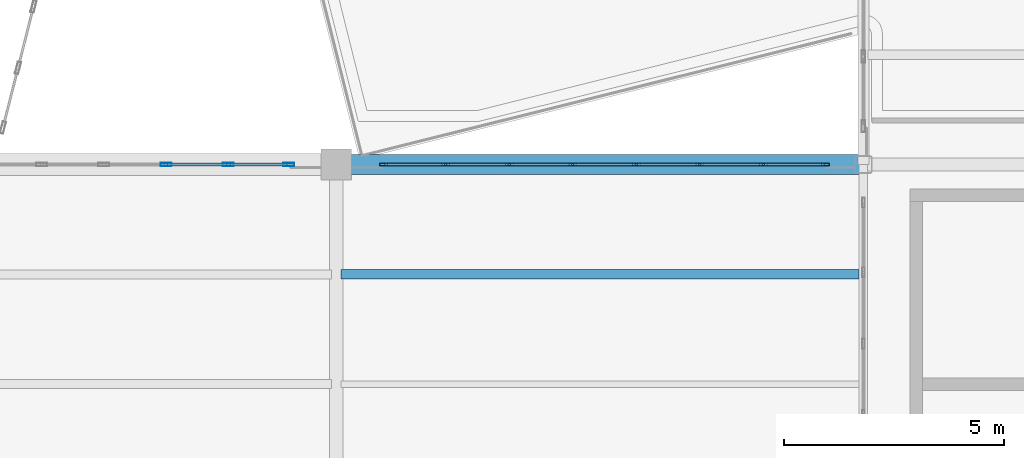
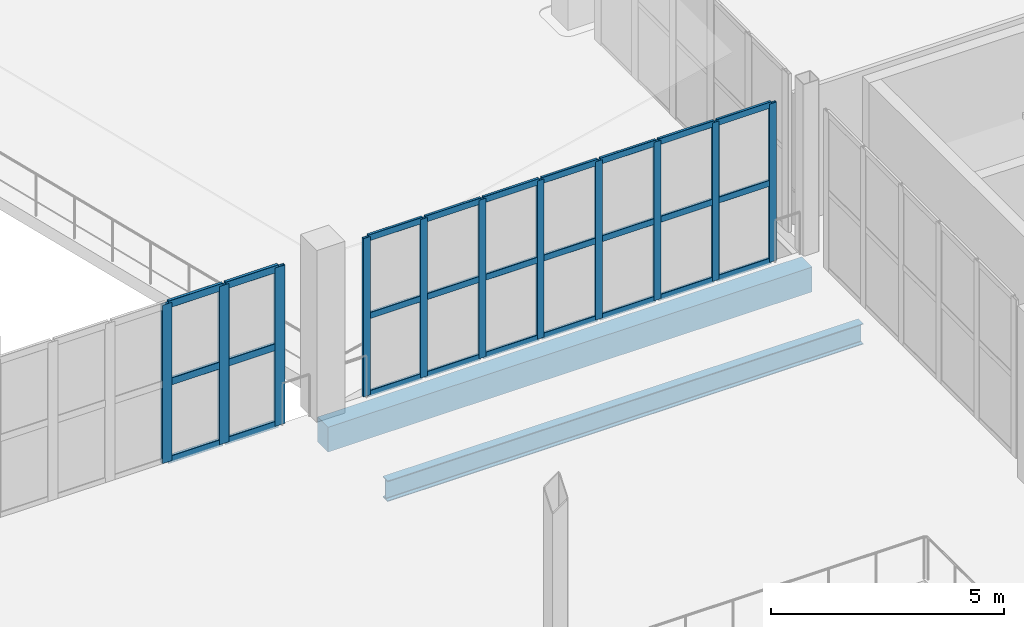
# One storey, part 26 of 108: 38 members, 2 beams, 2 elements without a shape of their own.
"""IFC4 building model written with IfcOpenShell, lengths in metres."""

from ifc_helpers import new_model, si_unit, direction, frame, origin, origin_2d, place, context, subcontext, project, spatial, rectangle, hollow_rectangle, i_section, extrude, material, layer, layer_set, material_profile, profile_set, type_object, element, aggregate, save


model = new_model("IFC4")

# Units and contexts
model_context = context("Model", 3, precision=1e-05, world=origin(), true_north=direction((0.0, 1.0)))
body_context = subcontext(model_context, "Body", "Model", "MODEL_VIEW")
ifc_project = project(units=[si_unit("LENGTHUNIT", "METRE"), si_unit("AREAUNIT", "SQUARE_METRE"), si_unit("VOLUMEUNIT", "CUBIC_METRE"), si_unit("PLANEANGLEUNIT", "RADIAN"), si_unit("MASSUNIT", "GRAM", prefix="KILO")], contexts=[model_context])

# Site, building, storey
site_placement = place(None, origin())
site = spatial("IfcSite", under=ifc_project, at=site_placement, CompositionType="ELEMENT")
building_placement = place(site_placement, origin())
building = spatial("IfcBuilding", under=site, at=building_placement, Name="Brinegate Civic Arena", CompositionType="ELEMENT")
storey_placement = place(building_placement, frame((0.0, 0.0, 10.199951171875)))
storey = spatial("IfcBuildingStorey", under=building, at=storey_placement, Name="L02", CompositionType="ELEMENT", Elevation=10.199951171875)

# Curtain wall, members
ifc_material_1 = material(Name="Marine grade aluminium", Category="aluminium")
ifc_layer = layer(ifc_material_1, 0.18505859375, Name="Marine grade aluminium")
ifc_layer_set = layer_set([ifc_layer], Name="Marine grade aluminium")
curtain_wall_type = type_object("IfcCurtainWallType", Name="CW-WING-GLAZED-03", PredefinedType="USERDEFINED", material=ifc_layer_set)
curtain_wall_1_placement = place(storey_placement, origin())
curtain_wall_1 = element("IfcCurtainWall", 1, at=curtain_wall_1_placement, inside=storey, type_object=curtain_wall_type, Name="Curtain Wall CWA-026", ObjectType="GLAZED CURTAIN WALL", PredefinedType="USERDEFINED")
ifc_material_profile_1 = material_profile(ifc_material_1, hollow_rectangle(XDim=0.06494140625, YDim=0.179931640625, WallThickness=0.0048828125, InnerFilletRadius=0.00390625, OuterFilletRadius=0.008056640625, at=origin_2d()), Name="MUL65X180")
ifc_profile_set_1 = profile_set([ifc_material_profile_1], Name="Marine grade aluminium")
member_type_1 = type_object("IfcMemberType", Name="CW-MULLION-65X180", PredefinedType="MULLION", material=ifc_profile_set_1)
member_1_placement = place(storey_placement, frame((37.077392578125, 52.0, 0.0), z_axis=(0.0, 0.0, 1.0), x_axis=(0.0, 1.0, 0.0)))
member_1 = element("IfcMember", 2, at=member_1_placement, type_object=member_type_1, Name="CWA-026 mullion 1", PredefinedType="MULLION", context=body_context, shape_type="SweptSolid", body=[
    extrude(hollow_rectangle(XDim=0.06494140625, YDim=0.179931640625, WallThickness=0.0048828125, InnerFilletRadius=0.00390625, OuterFilletRadius=0.008056640625, at=origin_2d()), origin(), (0.0, 0.0, 1.0), 4.150146484375),
])
member_2_placement = place(storey_placement, frame((38.490966796875, 52.0, 0.0), z_axis=(0.0, 0.0, 1.0), x_axis=(0.0, 1.0, 0.0)))
member_2 = element("IfcMember", 3, at=member_2_placement, type_object=member_type_1, Name="CWA-026 mullion 2", PredefinedType="MULLION", context=body_context, shape_type="SweptSolid", body=[
    extrude(hollow_rectangle(XDim=0.06494140625, YDim=0.179931640625, WallThickness=0.0048828125, InnerFilletRadius=0.00390625, OuterFilletRadius=0.008056640625, at=origin_2d()), origin(), (0.0, 0.0, 1.0), 4.150146484375),
])
member_3_placement = place(storey_placement, frame((39.93701171875, 52.0, 0.0), z_axis=(0.0, 0.0, 1.0), x_axis=(0.0, 1.0, 0.0)))
member_3 = element("IfcMember", 4, at=member_3_placement, type_object=member_type_1, Name="CWA-026 mullion 3", PredefinedType="MULLION", context=body_context, shape_type="SweptSolid", body=[
    extrude(hollow_rectangle(XDim=0.06494140625, YDim=0.179931640625, WallThickness=0.0048828125, InnerFilletRadius=0.00390625, OuterFilletRadius=0.008056640625, at=origin_2d()), origin(), (0.0, 0.0, 1.0), 4.150146484375),
])
member_4_placement = place(storey_placement, frame((41.383056640625, 52.0, 0.0), z_axis=(0.0, 0.0, 1.0), x_axis=(0.0, 1.0, 0.0)))
member_4 = element("IfcMember", 5, at=member_4_placement, type_object=member_type_1, Name="CWA-026 mullion 4", PredefinedType="MULLION", context=body_context, shape_type="SweptSolid", body=[
    extrude(hollow_rectangle(XDim=0.06494140625, YDim=0.179931640625, WallThickness=0.0048828125, InnerFilletRadius=0.00390625, OuterFilletRadius=0.008056640625, at=origin_2d()), origin(), (0.0, 0.0, 1.0), 4.150146484375),
])
member_5_placement = place(storey_placement, frame((42.8291015625, 52.0, 0.0), z_axis=(0.0, 0.0, 1.0), x_axis=(0.0, 1.0, 0.0)))
member_5 = element("IfcMember", 6, at=member_5_placement, type_object=member_type_1, Name="CWA-026 mullion 5", PredefinedType="MULLION", context=body_context, shape_type="SweptSolid", body=[
    extrude(hollow_rectangle(XDim=0.06494140625, YDim=0.179931640625, WallThickness=0.0048828125, InnerFilletRadius=0.00390625, OuterFilletRadius=0.008056640625, at=origin_2d()), origin(), (0.0, 0.0, 1.0), 4.150146484375),
])
member_6_placement = place(storey_placement, frame((44.27490234375, 52.0, 0.0), z_axis=(0.0, 0.0, 1.0), x_axis=(0.0, 1.0, 0.0)))
member_6 = element("IfcMember", 7, at=member_6_placement, type_object=member_type_1, Name="CWA-026 mullion 6", PredefinedType="MULLION", context=body_context, shape_type="SweptSolid", body=[
    extrude(hollow_rectangle(XDim=0.06494140625, YDim=0.179931640625, WallThickness=0.0048828125, InnerFilletRadius=0.00390625, OuterFilletRadius=0.008056640625, at=origin_2d()), origin(), (0.0, 0.0, 1.0), 4.150146484375),
])
member_7_placement = place(storey_placement, frame((45.720947265625, 52.0, 0.0), z_axis=(0.0, 0.0, 1.0), x_axis=(0.0, 1.0, 0.0)))
member_7 = element("IfcMember", 8, at=member_7_placement, type_object=member_type_1, Name="CWA-026 mullion 7", PredefinedType="MULLION", context=body_context, shape_type="SweptSolid", body=[
    extrude(hollow_rectangle(XDim=0.06494140625, YDim=0.179931640625, WallThickness=0.0048828125, InnerFilletRadius=0.00390625, OuterFilletRadius=0.008056640625, at=origin_2d()), origin(), (0.0, 0.0, 1.0), 4.150146484375),
])
member_8_placement = place(storey_placement, frame((47.134521484375, 52.0, 0.0), z_axis=(0.0, 0.0, 1.0), x_axis=(0.0, 1.0, 0.0)))
member_8 = element("IfcMember", 9, at=member_8_placement, type_object=member_type_1, Name="CWA-026 mullion 8", PredefinedType="MULLION", context=body_context, shape_type="SweptSolid", body=[
    extrude(hollow_rectangle(XDim=0.06494140625, YDim=0.179931640625, WallThickness=0.0048828125, InnerFilletRadius=0.00390625, OuterFilletRadius=0.008056640625, at=origin_2d()), origin(), (0.0, 0.0, 1.0), 4.150146484375),
])

curtain_wall_2_placement = place(storey_placement, origin())
curtain_wall_2 = element("IfcCurtainWall", 10, at=curtain_wall_2_placement, inside=storey, type_object=curtain_wall_type, Name="Curtain Wall CWA-024", ObjectType="GLAZED CURTAIN WALL", PredefinedType="USERDEFINED")
ifc_material_profile_2 = material_profile(ifc_material_1, hollow_rectangle(XDim=0.074951171875, YDim=0.25, WallThickness=0.006103515625, InnerFilletRadius=0.00390625, OuterFilletRadius=0.008056640625, at=origin_2d()), Name="MUL75X250")
ifc_profile_set_2 = profile_set([ifc_material_profile_2], Name="Marine grade aluminium")
member_type_2 = type_object("IfcMemberType", Name="CW-MULLION-75X250", PredefinedType="MULLION", material=ifc_profile_set_2)
member_9_placement = place(storey_placement, frame((32.12353515625, 52.0, 0.0), z_axis=(0.0, 0.0, 1.0), x_axis=(0.0, 1.0, 0.0)))
member_9 = element("IfcMember", 11, at=member_9_placement, type_object=member_type_2, Name="CWA-024 mullion 6", PredefinedType="MULLION", context=body_context, shape_type="SweptSolid", body=[
    extrude(hollow_rectangle(XDim=0.074951171875, YDim=0.25, WallThickness=0.006103515625, InnerFilletRadius=0.00390625, OuterFilletRadius=0.008056640625, at=origin_2d()), origin(), (0.0, 0.0, 1.0), 4.150146484375),
])
member_10_placement = place(storey_placement, frame((33.539306640625, 52.0, 0.0), z_axis=(0.0, 0.0, 1.0), x_axis=(0.0, 1.0, 0.0)))
member_10 = element("IfcMember", 12, at=member_10_placement, type_object=member_type_2, Name="CWA-024 mullion 7", PredefinedType="MULLION", context=body_context, shape_type="SweptSolid", body=[
    extrude(hollow_rectangle(XDim=0.074951171875, YDim=0.25, WallThickness=0.006103515625, InnerFilletRadius=0.00390625, OuterFilletRadius=0.008056640625, at=origin_2d()), origin(), (0.0, 0.0, 1.0), 4.150146484375),
])
member_11_placement = place(storey_placement, frame((34.91748046875, 52.0, 0.0), z_axis=(0.0, 0.0, 1.0), x_axis=(0.0, 1.0, 0.0)))
member_11 = element("IfcMember", 13, at=member_11_placement, type_object=member_type_2, Name="CWA-024 mullion 8", PredefinedType="MULLION", context=body_context, shape_type="SweptSolid", body=[
    extrude(hollow_rectangle(XDim=0.074951171875, YDim=0.25, WallThickness=0.006103515625, InnerFilletRadius=0.00390625, OuterFilletRadius=0.008056640625, at=origin_2d()), origin(), (0.0, 0.0, 1.0), 4.150146484375),
])

# Member
ifc_material_profile_3 = material_profile(ifc_material_1, hollow_rectangle(XDim=0.06494140625, YDim=0.1650390625, WallThickness=0.0048828125, InnerFilletRadius=0.00390625, OuterFilletRadius=0.008056640625, at=origin_2d()), Name="TRN65X165")
ifc_profile_set_3 = profile_set([ifc_material_profile_3], Name="Marine grade aluminium")
member_type_3 = type_object("IfcMemberType", Name="CW-TRANSOM-65X165", PredefinedType="USERDEFINED", material=ifc_profile_set_3)
member_12_placement = place(storey_placement, frame((37.110107421875, 52.0, 0.032470703125), z_axis=(1.0, 0.0, 0.0), x_axis=(0.0, 1.0, 0.0)))
member_12 = element("IfcMember", 14, at=member_12_placement, type_object=member_type_3, Name="CWA-026 transom 1.1", ObjectType="TRANSOM", PredefinedType="USERDEFINED", context=body_context, shape_type="SweptSolid", body=[
    extrude(hollow_rectangle(XDim=0.06494140625, YDim=0.1650390625, WallThickness=0.0048828125, InnerFilletRadius=0.00390625, OuterFilletRadius=0.008056640625, at=origin_2d()), origin(), (0.0, 0.0, 1.0), 1.348388671875),
])

member_13_placement = place(storey_placement, frame((37.110107421875, 52.0, 2.074951171875), z_axis=(1.0, 0.0, 0.0), x_axis=(0.0, 1.0, 0.0)))
member_13 = element("IfcMember", 15, at=member_13_placement, type_object=member_type_3, Name="CWA-026 transom 1.2", ObjectType="TRANSOM", PredefinedType="USERDEFINED", context=body_context, shape_type="SweptSolid", body=[
    extrude(hollow_rectangle(XDim=0.06494140625, YDim=0.1650390625, WallThickness=0.0048828125, InnerFilletRadius=0.00390625, OuterFilletRadius=0.008056640625, at=origin_2d()), origin(), (0.0, 0.0, 1.0), 1.348388671875),
])

member_14_placement = place(storey_placement, frame((37.110107421875, 52.0, 4.117431640625), z_axis=(1.0, 0.0, 0.0), x_axis=(0.0, 1.0, 0.0)))
member_14 = element("IfcMember", 16, at=member_14_placement, type_object=member_type_3, Name="CWA-026 transom 1.3", ObjectType="TRANSOM", PredefinedType="USERDEFINED", context=body_context, shape_type="SweptSolid", body=[
    extrude(hollow_rectangle(XDim=0.06494140625, YDim=0.1650390625, WallThickness=0.0048828125, InnerFilletRadius=0.00390625, OuterFilletRadius=0.008056640625, at=origin_2d()), origin(), (0.0, 0.0, 1.0), 1.348388671875),
])

member_15_placement = place(storey_placement, frame((38.5234375, 52.0, 0.032470703125), z_axis=(1.0, 0.0, 0.0), x_axis=(0.0, 1.0, 0.0)))
member_15 = element("IfcMember", 17, at=member_15_placement, type_object=member_type_3, Name="CWA-026 transom 2.1", ObjectType="TRANSOM", PredefinedType="USERDEFINED", context=body_context, shape_type="SweptSolid", body=[
    extrude(hollow_rectangle(XDim=0.06494140625, YDim=0.1650390625, WallThickness=0.0048828125, InnerFilletRadius=0.00390625, OuterFilletRadius=0.008056640625, at=origin_2d()), origin(), (0.0, 0.0, 1.0), 1.381103515625),
])

member_16_placement = place(storey_placement, frame((38.5234375, 52.0, 2.074951171875), z_axis=(1.0, 0.0, 0.0), x_axis=(0.0, 1.0, 0.0)))
member_16 = element("IfcMember", 18, at=member_16_placement, type_object=member_type_3, Name="CWA-026 transom 2.2", ObjectType="TRANSOM", PredefinedType="USERDEFINED", context=body_context, shape_type="SweptSolid", body=[
    extrude(hollow_rectangle(XDim=0.06494140625, YDim=0.1650390625, WallThickness=0.0048828125, InnerFilletRadius=0.00390625, OuterFilletRadius=0.008056640625, at=origin_2d()), origin(), (0.0, 0.0, 1.0), 1.381103515625),
])

member_17_placement = place(storey_placement, frame((38.5234375, 52.0, 4.117431640625), z_axis=(1.0, 0.0, 0.0), x_axis=(0.0, 1.0, 0.0)))
member_17 = element("IfcMember", 19, at=member_17_placement, type_object=member_type_3, Name="CWA-026 transom 2.3", ObjectType="TRANSOM", PredefinedType="USERDEFINED", context=body_context, shape_type="SweptSolid", body=[
    extrude(hollow_rectangle(XDim=0.06494140625, YDim=0.1650390625, WallThickness=0.0048828125, InnerFilletRadius=0.00390625, OuterFilletRadius=0.008056640625, at=origin_2d()), origin(), (0.0, 0.0, 1.0), 1.381103515625),
])

member_18_placement = place(storey_placement, frame((39.969482421875, 52.0, 0.032470703125), z_axis=(1.0, 0.0, 0.0), x_axis=(0.0, 1.0, 0.0)))
member_18 = element("IfcMember", 20, at=member_18_placement, type_object=member_type_3, Name="CWA-026 transom 3.1", ObjectType="TRANSOM", PredefinedType="USERDEFINED", context=body_context, shape_type="SweptSolid", body=[
    extrude(hollow_rectangle(XDim=0.06494140625, YDim=0.1650390625, WallThickness=0.0048828125, InnerFilletRadius=0.00390625, OuterFilletRadius=0.008056640625, at=origin_2d()), origin(), (0.0, 0.0, 1.0), 1.381103515625),
])

member_19_placement = place(storey_placement, frame((39.969482421875, 52.0, 2.074951171875), z_axis=(1.0, 0.0, 0.0), x_axis=(0.0, 1.0, 0.0)))
member_19 = element("IfcMember", 21, at=member_19_placement, type_object=member_type_3, Name="CWA-026 transom 3.2", ObjectType="TRANSOM", PredefinedType="USERDEFINED", context=body_context, shape_type="SweptSolid", body=[
    extrude(hollow_rectangle(XDim=0.06494140625, YDim=0.1650390625, WallThickness=0.0048828125, InnerFilletRadius=0.00390625, OuterFilletRadius=0.008056640625, at=origin_2d()), origin(), (0.0, 0.0, 1.0), 1.381103515625),
])

member_20_placement = place(storey_placement, frame((39.969482421875, 52.0, 4.117431640625), z_axis=(1.0, 0.0, 0.0), x_axis=(0.0, 1.0, 0.0)))
member_20 = element("IfcMember", 22, at=member_20_placement, type_object=member_type_3, Name="CWA-026 transom 3.3", ObjectType="TRANSOM", PredefinedType="USERDEFINED", context=body_context, shape_type="SweptSolid", body=[
    extrude(hollow_rectangle(XDim=0.06494140625, YDim=0.1650390625, WallThickness=0.0048828125, InnerFilletRadius=0.00390625, OuterFilletRadius=0.008056640625, at=origin_2d()), origin(), (0.0, 0.0, 1.0), 1.381103515625),
])

member_21_placement = place(storey_placement, frame((41.41552734375, 52.0, 0.032470703125), z_axis=(1.0, 0.0, 0.0), x_axis=(0.0, 1.0, 0.0)))
member_21 = element("IfcMember", 23, at=member_21_placement, type_object=member_type_3, Name="CWA-026 transom 4.1", ObjectType="TRANSOM", PredefinedType="USERDEFINED", context=body_context, shape_type="SweptSolid", body=[
    extrude(hollow_rectangle(XDim=0.06494140625, YDim=0.1650390625, WallThickness=0.0048828125, InnerFilletRadius=0.00390625, OuterFilletRadius=0.008056640625, at=origin_2d()), origin(), (0.0, 0.0, 1.0), 1.380859375),
])

member_22_placement = place(storey_placement, frame((41.41552734375, 52.0, 2.074951171875), z_axis=(1.0, 0.0, 0.0), x_axis=(0.0, 1.0, 0.0)))
member_22 = element("IfcMember", 24, at=member_22_placement, type_object=member_type_3, Name="CWA-026 transom 4.2", ObjectType="TRANSOM", PredefinedType="USERDEFINED", context=body_context, shape_type="SweptSolid", body=[
    extrude(hollow_rectangle(XDim=0.06494140625, YDim=0.1650390625, WallThickness=0.0048828125, InnerFilletRadius=0.00390625, OuterFilletRadius=0.008056640625, at=origin_2d()), origin(), (0.0, 0.0, 1.0), 1.380859375),
])

member_23_placement = place(storey_placement, frame((41.41552734375, 52.0, 4.117431640625), z_axis=(1.0, 0.0, 0.0), x_axis=(0.0, 1.0, 0.0)))
member_23 = element("IfcMember", 25, at=member_23_placement, type_object=member_type_3, Name="CWA-026 transom 4.3", ObjectType="TRANSOM", PredefinedType="USERDEFINED", context=body_context, shape_type="SweptSolid", body=[
    extrude(hollow_rectangle(XDim=0.06494140625, YDim=0.1650390625, WallThickness=0.0048828125, InnerFilletRadius=0.00390625, OuterFilletRadius=0.008056640625, at=origin_2d()), origin(), (0.0, 0.0, 1.0), 1.380859375),
])

member_24_placement = place(storey_placement, frame((42.861572265625, 52.0, 0.032470703125), z_axis=(1.0, 0.0, 0.0), x_axis=(0.0, 1.0, 0.0)))
member_24 = element("IfcMember", 26, at=member_24_placement, type_object=member_type_3, Name="CWA-026 transom 5.1", ObjectType="TRANSOM", PredefinedType="USERDEFINED", context=body_context, shape_type="SweptSolid", body=[
    extrude(hollow_rectangle(XDim=0.06494140625, YDim=0.1650390625, WallThickness=0.0048828125, InnerFilletRadius=0.00390625, OuterFilletRadius=0.008056640625, at=origin_2d()), origin(), (0.0, 0.0, 1.0), 1.380859375),
])

member_25_placement = place(storey_placement, frame((42.861572265625, 52.0, 2.074951171875), z_axis=(1.0, 0.0, 0.0), x_axis=(0.0, 1.0, 0.0)))
member_25 = element("IfcMember", 27, at=member_25_placement, type_object=member_type_3, Name="CWA-026 transom 5.2", ObjectType="TRANSOM", PredefinedType="USERDEFINED", context=body_context, shape_type="SweptSolid", body=[
    extrude(hollow_rectangle(XDim=0.06494140625, YDim=0.1650390625, WallThickness=0.0048828125, InnerFilletRadius=0.00390625, OuterFilletRadius=0.008056640625, at=origin_2d()), origin(), (0.0, 0.0, 1.0), 1.380859375),
])

member_26_placement = place(storey_placement, frame((42.861572265625, 52.0, 4.117431640625), z_axis=(1.0, 0.0, 0.0), x_axis=(0.0, 1.0, 0.0)))
member_26 = element("IfcMember", 28, at=member_26_placement, type_object=member_type_3, Name="CWA-026 transom 5.3", ObjectType="TRANSOM", PredefinedType="USERDEFINED", context=body_context, shape_type="SweptSolid", body=[
    extrude(hollow_rectangle(XDim=0.06494140625, YDim=0.1650390625, WallThickness=0.0048828125, InnerFilletRadius=0.00390625, OuterFilletRadius=0.008056640625, at=origin_2d()), origin(), (0.0, 0.0, 1.0), 1.380859375),
])

member_27_placement = place(storey_placement, frame((44.3076171875, 52.0, 0.032470703125), z_axis=(1.0, 0.0, 0.0), x_axis=(0.0, 1.0, 0.0)))
member_27 = element("IfcMember", 29, at=member_27_placement, type_object=member_type_3, Name="CWA-026 transom 6.1", ObjectType="TRANSOM", PredefinedType="USERDEFINED", context=body_context, shape_type="SweptSolid", body=[
    extrude(hollow_rectangle(XDim=0.06494140625, YDim=0.1650390625, WallThickness=0.0048828125, InnerFilletRadius=0.00390625, OuterFilletRadius=0.008056640625, at=origin_2d()), origin(), (0.0, 0.0, 1.0), 1.380859375),
])

member_28_placement = place(storey_placement, frame((44.3076171875, 52.0, 2.074951171875), z_axis=(1.0, 0.0, 0.0), x_axis=(0.0, 1.0, 0.0)))
member_28 = element("IfcMember", 30, at=member_28_placement, type_object=member_type_3, Name="CWA-026 transom 6.2", ObjectType="TRANSOM", PredefinedType="USERDEFINED", context=body_context, shape_type="SweptSolid", body=[
    extrude(hollow_rectangle(XDim=0.06494140625, YDim=0.1650390625, WallThickness=0.0048828125, InnerFilletRadius=0.00390625, OuterFilletRadius=0.008056640625, at=origin_2d()), origin(), (0.0, 0.0, 1.0), 1.380859375),
])

member_29_placement = place(storey_placement, frame((44.3076171875, 52.0, 4.117431640625), z_axis=(1.0, 0.0, 0.0), x_axis=(0.0, 1.0, 0.0)))
member_29 = element("IfcMember", 31, at=member_29_placement, type_object=member_type_3, Name="CWA-026 transom 6.3", ObjectType="TRANSOM", PredefinedType="USERDEFINED", context=body_context, shape_type="SweptSolid", body=[
    extrude(hollow_rectangle(XDim=0.06494140625, YDim=0.1650390625, WallThickness=0.0048828125, InnerFilletRadius=0.00390625, OuterFilletRadius=0.008056640625, at=origin_2d()), origin(), (0.0, 0.0, 1.0), 1.380859375),
])

member_30_placement = place(storey_placement, frame((45.75341796875, 52.0, 0.032470703125), z_axis=(1.0, 0.0, 0.0), x_axis=(0.0, 1.0, 0.0)))
member_30 = element("IfcMember", 32, at=member_30_placement, type_object=member_type_3, Name="CWA-026 transom 7.1", ObjectType="TRANSOM", PredefinedType="USERDEFINED", context=body_context, shape_type="SweptSolid", body=[
    extrude(hollow_rectangle(XDim=0.06494140625, YDim=0.1650390625, WallThickness=0.0048828125, InnerFilletRadius=0.00390625, OuterFilletRadius=0.008056640625, at=origin_2d()), origin(), (0.0, 0.0, 1.0), 1.3486328125),
])

member_31_placement = place(storey_placement, frame((45.75341796875, 52.0, 2.074951171875), z_axis=(1.0, 0.0, 0.0), x_axis=(0.0, 1.0, 0.0)))
member_31 = element("IfcMember", 33, at=member_31_placement, type_object=member_type_3, Name="CWA-026 transom 7.2", ObjectType="TRANSOM", PredefinedType="USERDEFINED", context=body_context, shape_type="SweptSolid", body=[
    extrude(hollow_rectangle(XDim=0.06494140625, YDim=0.1650390625, WallThickness=0.0048828125, InnerFilletRadius=0.00390625, OuterFilletRadius=0.008056640625, at=origin_2d()), origin(), (0.0, 0.0, 1.0), 1.3486328125),
])

member_32_placement = place(storey_placement, frame((45.75341796875, 52.0, 4.117431640625), z_axis=(1.0, 0.0, 0.0), x_axis=(0.0, 1.0, 0.0)))
member_32 = element("IfcMember", 34, at=member_32_placement, type_object=member_type_3, Name="CWA-026 transom 7.3", ObjectType="TRANSOM", PredefinedType="USERDEFINED", context=body_context, shape_type="SweptSolid", body=[
    extrude(hollow_rectangle(XDim=0.06494140625, YDim=0.1650390625, WallThickness=0.0048828125, InnerFilletRadius=0.00390625, OuterFilletRadius=0.008056640625, at=origin_2d()), origin(), (0.0, 0.0, 1.0), 1.3486328125),
])

aggregate(curtain_wall_1, [member_1, member_2, member_3, member_4, member_5, member_6, member_7, member_8, member_12, member_13, member_14, member_15, member_16, member_17, member_18, member_19, member_20, member_21, member_22, member_23, member_24, member_25, member_26, member_27, member_28, member_29, member_30, member_31, member_32])

ifc_material_profile_4 = material_profile(ifc_material_1, hollow_rectangle(XDim=0.074951171875, YDim=0.18994140625, WallThickness=0.006103515625, InnerFilletRadius=0.00390625, OuterFilletRadius=0.008056640625, at=origin_2d()), Name="TRN75X190")
ifc_profile_set_4 = profile_set([ifc_material_profile_4], Name="Marine grade aluminium")
member_type_4 = type_object("IfcMemberType", Name="CW-TRANSOM-75X190", PredefinedType="USERDEFINED", material=ifc_profile_set_4)
member_33_placement = place(storey_placement, frame((32.1611328125, 52.0, 0.03759765625), z_axis=(1.0, 0.0, 0.0), x_axis=(0.0, 1.0, 0.0)))
member_33 = element("IfcMember", 35, at=member_33_placement, type_object=member_type_4, Name="CWA-024 transom 6.1", ObjectType="TRANSOM", PredefinedType="USERDEFINED", context=body_context, shape_type="SweptSolid", body=[
    extrude(hollow_rectangle(XDim=0.074951171875, YDim=0.18994140625, WallThickness=0.006103515625, InnerFilletRadius=0.00390625, OuterFilletRadius=0.008056640625, at=origin_2d()), origin(), (0.0, 0.0, 1.0), 1.340576171875),
])

member_34_placement = place(storey_placement, frame((32.1611328125, 52.0, 2.074951171875), z_axis=(1.0, 0.0, 0.0), x_axis=(0.0, 1.0, 0.0)))
member_34 = element("IfcMember", 36, at=member_34_placement, type_object=member_type_4, Name="CWA-024 transom 6.2", ObjectType="TRANSOM", PredefinedType="USERDEFINED", context=body_context, shape_type="SweptSolid", body=[
    extrude(hollow_rectangle(XDim=0.074951171875, YDim=0.18994140625, WallThickness=0.006103515625, InnerFilletRadius=0.00390625, OuterFilletRadius=0.008056640625, at=origin_2d()), origin(), (0.0, 0.0, 1.0), 1.340576171875),
])

member_35_placement = place(storey_placement, frame((32.1611328125, 52.0, 4.112548828125), z_axis=(1.0, 0.0, 0.0), x_axis=(0.0, 1.0, 0.0)))
member_35 = element("IfcMember", 37, at=member_35_placement, type_object=member_type_4, Name="CWA-024 transom 6.3", ObjectType="TRANSOM", PredefinedType="USERDEFINED", context=body_context, shape_type="SweptSolid", body=[
    extrude(hollow_rectangle(XDim=0.074951171875, YDim=0.18994140625, WallThickness=0.006103515625, InnerFilletRadius=0.00390625, OuterFilletRadius=0.008056640625, at=origin_2d()), origin(), (0.0, 0.0, 1.0), 1.340576171875),
])

member_36_placement = place(storey_placement, frame((33.576904296875, 52.0, 0.03759765625), z_axis=(1.0, 0.0, 0.0), x_axis=(0.0, 1.0, 0.0)))
member_36 = element("IfcMember", 38, at=member_36_placement, type_object=member_type_4, Name="CWA-024 transom 7.1", ObjectType="TRANSOM", PredefinedType="USERDEFINED", context=body_context, shape_type="SweptSolid", body=[
    extrude(hollow_rectangle(XDim=0.074951171875, YDim=0.18994140625, WallThickness=0.006103515625, InnerFilletRadius=0.00390625, OuterFilletRadius=0.008056640625, at=origin_2d()), origin(), (0.0, 0.0, 1.0), 1.302978515625),
])

member_37_placement = place(storey_placement, frame((33.576904296875, 52.0, 2.074951171875), z_axis=(1.0, 0.0, 0.0), x_axis=(0.0, 1.0, 0.0)))
member_37 = element("IfcMember", 39, at=member_37_placement, type_object=member_type_4, Name="CWA-024 transom 7.2", ObjectType="TRANSOM", PredefinedType="USERDEFINED", context=body_context, shape_type="SweptSolid", body=[
    extrude(hollow_rectangle(XDim=0.074951171875, YDim=0.18994140625, WallThickness=0.006103515625, InnerFilletRadius=0.00390625, OuterFilletRadius=0.008056640625, at=origin_2d()), origin(), (0.0, 0.0, 1.0), 1.302978515625),
])

member_38_placement = place(storey_placement, frame((33.576904296875, 52.0, 4.112548828125), z_axis=(1.0, 0.0, 0.0), x_axis=(0.0, 1.0, 0.0)))
member_38 = element("IfcMember", 40, at=member_38_placement, type_object=member_type_4, Name="CWA-024 transom 7.3", ObjectType="TRANSOM", PredefinedType="USERDEFINED", context=body_context, shape_type="SweptSolid", body=[
    extrude(hollow_rectangle(XDim=0.074951171875, YDim=0.18994140625, WallThickness=0.006103515625, InnerFilletRadius=0.00390625, OuterFilletRadius=0.008056640625, at=origin_2d()), origin(), (0.0, 0.0, 1.0), 1.302978515625),
])

aggregate(curtain_wall_2, [member_9, member_10, member_11, member_33, member_34, member_35, member_36, member_37, member_38])

# Beams
ifc_material_2 = material(Name="Steel S355", Category="steel")
ifc_material_profile_5 = material_profile(ifc_material_2, i_section(OverallWidth=0.2119140625, OverallDepth=0.5439453125, WebThickness=0.012939453125, FlangeThickness=0.02099609375, FilletRadius=0.01611328125, at=origin_2d()), Name="W530X123")
ifc_profile_set_5 = profile_set([ifc_material_profile_5], Name="Steel S355")
beam_type_1 = type_object("IfcBeamType", Name="JOIST-W530X123", PredefinedType="JOIST", material=ifc_profile_set_5)
beam_1_placement = place(storey_placement, frame((36.10595703125, 49.5, -0.60205078125), z_axis=(1.0, 0.0, 0.0), x_axis=(0.0, 1.0, 0.0)))
element("IfcBeam", 41, at=beam_1_placement, inside=storey, type_object=beam_type_1, Name="Secondary Joist BM-L02-JX-03-04-3", PredefinedType="JOIST", context=body_context, shape_type="SweptSolid", body=[
    extrude(i_section(OverallWidth=0.2119140625, OverallDepth=0.5439453125, WebThickness=0.012939453125, FlangeThickness=0.02099609375, FilletRadius=0.01611328125, at=origin_2d()), origin(), (0.0, 0.0, 1.0), 11.7880859375),
])
ifc_material_3 = material(Name="Concrete C50/60", Category="concrete")
ifc_material_profile_6 = material_profile(ifc_material_3, rectangle(XDim=0.449951171875, YDim=0.64990234375, at=origin_2d()), Name="RCB450X650")
ifc_profile_set_6 = profile_set([ifc_material_profile_6], Name="Concrete C50/60")
beam_type_2 = type_object("IfcBeamType", Name="RCG-450X650", PredefinedType="BEAM", material=ifc_profile_set_6)
beam_2_placement = place(storey_placement, frame((36.0, 52.0, -0.655029296875), z_axis=(1.0, 0.0, 0.0), x_axis=(0.0, 1.0, 0.0)))
element("IfcBeam", 42, at=beam_2_placement, inside=storey, type_object=beam_type_2, Name="Floor Girder BM-L02-GX-03-05", PredefinedType="BEAM", context=body_context, shape_type="SweptSolid", body=[
    extrude(rectangle(XDim=0.449951171875, YDim=0.64990234375, at=origin_2d()), origin(), (0.0, 0.0, 1.0), 12.0),
])

save(model, "model.ifc")
